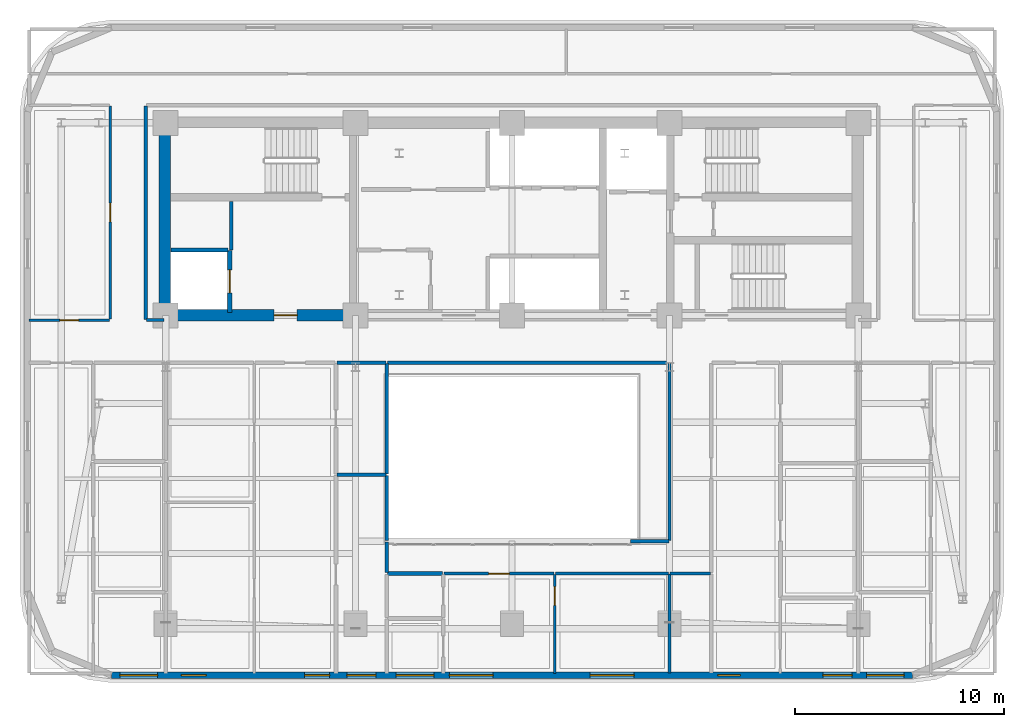
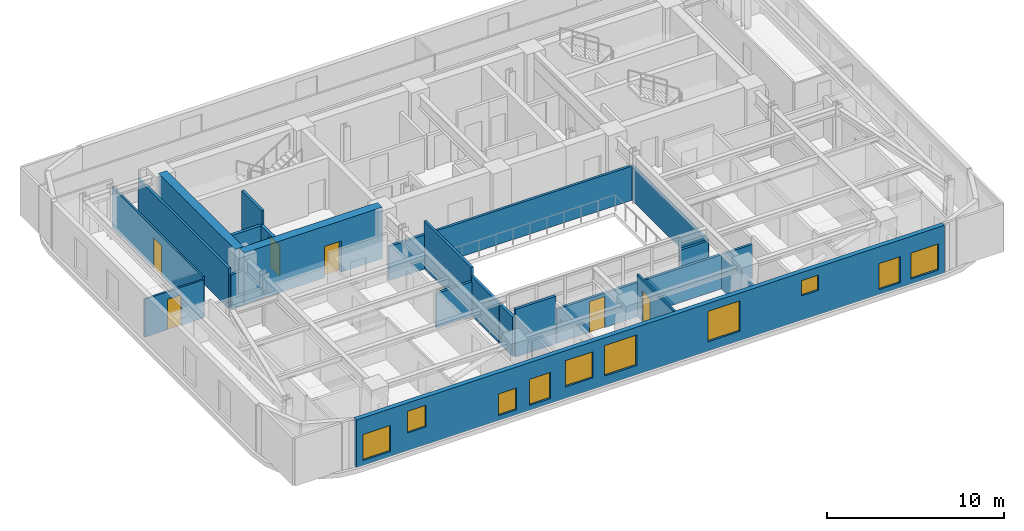
# One storey, part 6 of 12: 24 walls, 10 windows, 6 doors, 16 openings.
"""IFC4 building model written with IfcOpenShell, lengths in metres."""

from ifc_helpers import new_model, si_unit, direction, frame, frame_2d, origin, place, context, subcontext, project, spatial, rectangle, extrude, material, layer, layer_set, type_object, element, fill, save


model = new_model("IFC4")

# Units and contexts
model_context = context("Model", 3, precision=1e-05, world=origin(), true_north=direction((0.0, 1.0)))
body_context = subcontext(model_context, "Body", "Model", "MODEL_VIEW")
ifc_project = project(units=[si_unit("LENGTHUNIT", "METRE"), si_unit("AREAUNIT", "SQUARE_METRE"), si_unit("VOLUMEUNIT", "CUBIC_METRE"), si_unit("PLANEANGLEUNIT", "RADIAN"), si_unit("MASSUNIT", "GRAM", prefix="KILO")], contexts=[model_context])

# Site, building, storey
site_placement = place(None, origin())
site = spatial("IfcSite", under=ifc_project, at=site_placement, CompositionType="ELEMENT")
building_placement = place(site_placement, origin())
building = spatial("IfcBuilding", under=site, at=building_placement, Name="Zarnavel Station Tower", CompositionType="ELEMENT")
storey_placement = place(building_placement, frame((0.0, 0.0, 144.800048828125)))
storey = spatial("IfcBuildingStorey", under=building, at=storey_placement, Name="L39", CompositionType="ELEMENT", Elevation=144.800048828125)

# Wall, opening, door
ifc_material_1 = material(Name="Concrete C50/60", Category="concrete")
ifc_layer_1 = layer(ifc_material_1, 0.550048828125)
ifc_layer_set_1 = layer_set([ifc_layer_1], Name="CW_550")
wall_type_1 = type_object("IfcWallType", Name="CW_550", PredefinedType="SHEAR", material=ifc_layer_set_1)
wall_1_placement = place(storey_placement, frame((21.179931640625, 27.820068359375, 0.0), z_axis=(0.0, 0.0, 1.0), x_axis=(-1.0, 0.0, 0.0)))
wall_1 = element("IfcWall", 1, at=wall_1_placement, inside=storey, type_object=wall_type_1, Name="L39 Rear Core Shear Wall S-W", PredefinedType="SHEAR", context=body_context, shape_type="SweptSolid", body=[
    extrude(rectangle(XDim=9.030029296875, YDim=0.550048828125, at=frame_2d((4.51513671875, 0.0))), origin(), (0.0, 0.0, 1.0), 3.550048828125),
])
opening_1_placement = place(wall_1_placement, frame((2.679931640625, 0.0, 0.0)))
opening_1 = element("IfcOpeningElement", 2, at=opening_1_placement, cuts=wall_1, Name="Opening FD01", PredefinedType="OPENING", context=body_context, shape_type="SweptSolid", body=[
    extrude(rectangle(XDim=1.10009765625, YDim=2.14990234375, at=frame_2d((0.550048828125, 1.074951171875))), frame((0.0, 0.284912109375, 0.0), z_axis=(0.0, -1.0, 0.0), x_axis=(1.0, 0.0, 0.0)), (0.0, 0.0, 1.0), 0.570068359375),
])
ifc_material_2 = material(Name="Painted Galvanised Steel and Hardwood Leaf", Category="steel")
door_type_1 = type_object("IfcDoorType", Name="ID_STAIR_1100", OperationType="NOTDEFINED", PredefinedType="DOOR", material=ifc_material_2)
door_1_placement = place(opening_1_placement, origin())
door_1 = element("IfcDoor", 3, at=door_1_placement, inside=storey, type_object=door_type_1, Name="L39 West Firefighting Lobby Door", OperationType="SINGLE_SWING_RIGHT", OverallHeight=2.14990234375, OverallWidth=1.10009765625, PredefinedType="DOOR", context=body_context, shape_type="SweptSolid", body=[
    extrude(rectangle(XDim=1.10009765625, YDim=2.14990234375, at=frame_2d((0.550048828125, 1.074951171875))), frame((0.0, 0.02490234375, 0.0), z_axis=(0.0, -1.0, 0.0), x_axis=(1.0, 0.0, 0.0)), (0.0, 0.0, 1.0), 0.050048828125),
])
fill(opening_1, door_1)

# Wall
wall_2_placement = place(storey_placement, frame((12.14990234375, 28.094970703125, 0.0), z_axis=(0.0, 0.0, 1.0), x_axis=(0.0, 1.0, 0.0)))
element("IfcWall", 4, at=wall_2_placement, inside=storey, type_object=wall_type_1, Name="L39 Rear Core Shear Wall W", PredefinedType="SHEAR", context=body_context, shape_type="SweptSolid", body=[
    extrude(rectangle(XDim=8.679931640625, YDim=0.550048828125, at=frame_2d((4.33984375, 0.0))), origin(), (0.0, 0.0, 1.0), 3.550048828125),
])

# Wall, openings, windows
ifc_material_3 = material(Name="Precast concrete C45/55 (Dark Basalt Finish)", Category="masonry")
ifc_layer_2 = layer(ifc_material_3, 0.300048828125)
ifc_layer_set_2 = layer_set([ifc_layer_2], Name="EW_BASALT_300")
wall_type_2 = type_object("IfcWallType", Name="EW_BASALT_300", PredefinedType="SOLIDWALL", material=ifc_layer_set_2)
wall_3_placement = place(storey_placement, frame((48.0, 10.580078125, 0.0), z_axis=(0.0, 0.0, 1.0), x_axis=(-1.0, 0.0, 0.0)))
wall_3 = element("IfcWall", 5, at=wall_3_placement, inside=storey, type_object=wall_type_2, Name="L39 Exterior Basalt Masonry Frame Wall 12", PredefinedType="SOLIDWALL", context=body_context, shape_type="SweptSolid", body=[
    extrude(rectangle(XDim=38.39990234375, YDim=0.300048828125, at=frame_2d((19.199951171875, 0.0))), origin(), (0.0, 0.0, 1.0), 3.2900390625),
])
opening_2_placement = place(wall_3_placement, frame((36.18994140625, 0.0, 0.340087890625)))
opening_2 = element("IfcOpeningElement", 6, at=opening_2_placement, cuts=wall_3, Name="Opening WN02", PredefinedType="OPENING", context=body_context, shape_type="SweptSolid", body=[
    extrude(rectangle(XDim=1.800048828125, YDim=1.800048828125, at=frame_2d((0.89990234375, 0.89990234375))), frame((0.0, 0.159912109375, 0.0), z_axis=(0.0, -1.0, 0.0), x_axis=(1.0, 0.0, 0.0)), (0.0, 0.0, 1.0), 0.320068359375),
])
opening_3_placement = place(wall_3_placement, frame((27.93798828125, 0.0, 0.340087890625)))
opening_3 = element("IfcOpeningElement", 7, at=opening_3_placement, cuts=wall_3, Name="Opening WN08", PredefinedType="OPENING", context=body_context, shape_type="SweptSolid", body=[
    extrude(rectangle(XDim=1.199951171875, YDim=1.5, at=frame_2d((0.60009765625, 0.75))), frame((0.0, 0.159912109375, 0.0), z_axis=(0.0, -1.0, 0.0), x_axis=(1.0, 0.0, 0.0)), (0.0, 0.0, 1.0), 0.320068359375),
])
opening_4_placement = place(wall_3_placement, frame((25.718994140625, 0.0, 0.340087890625)))
opening_4 = element("IfcOpeningElement", 8, at=opening_4_placement, cuts=wall_3, Name="Opening WN01", PredefinedType="OPENING", context=body_context, shape_type="SweptSolid", body=[
    extrude(rectangle(XDim=1.39990234375, YDim=1.800048828125, at=frame_2d((0.699951171875, 0.89990234375))), frame((0.0, 0.159912109375, 0.0), z_axis=(0.0, -1.0, 0.0), x_axis=(1.0, 0.0, 0.0)), (0.0, 0.0, 1.0), 0.320068359375),
])
opening_5_placement = place(wall_3_placement, frame((33.86083984375, 0.0, 1.219970703125)))
opening_5 = element("IfcOpeningElement", 9, at=opening_5_placement, cuts=wall_3, Name="Opening WN08", PredefinedType="OPENING", context=body_context, shape_type="SweptSolid", body=[
    extrude(rectangle(XDim=1.199951171875, YDim=1.5, at=frame_2d((0.60009765625, 0.75))), frame((0.0, 0.159912109375, 0.0), z_axis=(0.0, -1.0, 0.0), x_axis=(1.0, 0.0, 0.0)), (0.0, 0.0, 1.0), 0.320068359375),
])
opening_6_placement = place(wall_3_placement, frame((20.10009765625, 0.0, 0.64990234375)))
opening_6 = element("IfcOpeningElement", 10, at=opening_6_placement, cuts=wall_3, Name="Opening WN05", PredefinedType="OPENING", context=body_context, shape_type="SweptSolid", body=[
    extrude(rectangle(XDim=2.10009765625, YDim=2.10009765625, at=frame_2d((1.050048828125, 1.050048828125))), frame((0.0, 0.159912109375, 0.0), z_axis=(0.0, -1.0, 0.0), x_axis=(1.0, 0.0, 0.0)), (0.0, 0.0, 1.0), 0.320068359375),
])
opening_7_placement = place(wall_3_placement, frame((22.949951171875, 0.0, 0.800048828125)))
opening_7 = element("IfcOpeningElement", 11, at=opening_7_placement, cuts=wall_3, Name="Opening WN02", PredefinedType="OPENING", context=body_context, shape_type="SweptSolid", body=[
    extrude(rectangle(XDim=1.800048828125, YDim=1.800048828125, at=frame_2d((0.89990234375, 0.89990234375))), frame((0.0, 0.159912109375, 0.0), z_axis=(0.0, -1.0, 0.0), x_axis=(1.0, 0.0, 0.0)), (0.0, 0.0, 1.0), 0.320068359375),
])
opening_8_placement = place(wall_3_placement, frame((13.35009765625, 0.0, 0.64990234375)))
opening_8 = element("IfcOpeningElement", 12, at=opening_8_placement, cuts=wall_3, Name="Opening WN05", PredefinedType="OPENING", context=body_context, shape_type="SweptSolid", body=[
    extrude(rectangle(XDim=2.10009765625, YDim=2.10009765625, at=frame_2d((1.050048828125, 1.050048828125))), frame((0.0, 0.159912109375, 0.0), z_axis=(0.0, -1.0, 0.0), x_axis=(1.0, 0.0, 0.0)), (0.0, 0.0, 1.0), 0.320068359375),
])
opening_9_placement = place(wall_3_placement, frame((8.25, 0.0, 1.679931640625)))
opening_9 = element("IfcOpeningElement", 13, at=opening_9_placement, cuts=wall_3, Name="Opening WN09", PredefinedType="OPENING", context=body_context, shape_type="SweptSolid", body=[
    extrude(rectangle(XDim=1.10009765625, YDim=1.050048828125, at=frame_2d((0.550048828125, 0.52490234375))), frame((0.0, 0.159912109375, 0.0), z_axis=(0.0, -1.0, 0.0), x_axis=(1.0, 0.0, 0.0)), (0.0, 0.0, 1.0), 0.320068359375),
])
opening_10_placement = place(wall_3_placement, frame((2.89990234375, 0.0, 0.340087890625)))
opening_10 = element("IfcOpeningElement", 14, at=opening_10_placement, cuts=wall_3, Name="Opening WN01", PredefinedType="OPENING", context=body_context, shape_type="SweptSolid", body=[
    extrude(rectangle(XDim=1.39990234375, YDim=1.800048828125, at=frame_2d((0.699951171875, 0.89990234375))), frame((0.0, 0.159912109375, 0.0), z_axis=(0.0, -1.0, 0.0), x_axis=(1.0, 0.0, 0.0)), (0.0, 0.0, 1.0), 0.320068359375),
])
opening_11_placement = place(wall_3_placement, frame((0.409912109375, 0.0, 0.340087890625)))
opening_11 = element("IfcOpeningElement", 15, at=opening_11_placement, cuts=wall_3, Name="Opening WN02", PredefinedType="OPENING", context=body_context, shape_type="SweptSolid", body=[
    extrude(rectangle(XDim=1.800048828125, YDim=1.800048828125, at=frame_2d((0.89990234375, 0.89990234375))), frame((0.0, 0.159912109375, 0.0), z_axis=(0.0, -1.0, 0.0), x_axis=(1.0, 0.0, 0.0)), (0.0, 0.0, 1.0), 0.320068359375),
])
ifc_material_4 = material(Name="Thermally Broken Black Aluminium and Low-E Dark Glass", Category="aluminium")
window_type_1 = type_object("IfcWindowType", Name="WN_1100x1050", PartitioningType="SINGLE_PANEL", PredefinedType="WINDOW", material=ifc_material_4)
window_1_placement = place(opening_9_placement, origin())
window_1 = element("IfcWindow", 16, at=window_1_placement, inside=storey, type_object=window_type_1, Name="L39 Recessed Facade Window 08", OverallHeight=1.050048828125, OverallWidth=1.10009765625, PartitioningType="SINGLE_PANEL", PredefinedType="WINDOW", context=body_context, shape_type="SweptSolid", body=[
    extrude(rectangle(XDim=1.10009765625, YDim=1.050048828125, at=frame_2d((0.550048828125, 0.52490234375))), frame((0.0, 0.030029296875, 0.0), z_axis=(0.0, -1.0, 0.0), x_axis=(1.0, 0.0, 0.0)), (0.0, 0.0, 1.0), 0.06005859375),
])
fill(opening_9, window_1)
ifc_material_5 = material(Name="Thermally Broken Black Aluminium and Low-E Dark Glass", Category="aluminium")
window_type_2 = type_object("IfcWindowType", Name="WN_1200x1500", PartitioningType="SINGLE_PANEL", PredefinedType="WINDOW", material=ifc_material_5)
window_2_placement = place(opening_3_placement, origin())
window_2 = element("IfcWindow", 17, at=window_2_placement, inside=storey, type_object=window_type_2, Name="L39 Recessed Facade Window 02", OverallHeight=1.5, OverallWidth=1.199951171875, PartitioningType="SINGLE_PANEL", PredefinedType="WINDOW", context=body_context, shape_type="SweptSolid", body=[
    extrude(rectangle(XDim=1.199951171875, YDim=1.5, at=frame_2d((0.60009765625, 0.75))), frame((0.0, 0.030029296875, 0.0), z_axis=(0.0, -1.0, 0.0), x_axis=(1.0, 0.0, 0.0)), (0.0, 0.0, 1.0), 0.06005859375),
])
fill(opening_3, window_2)
window_3_placement = place(opening_5_placement, origin())
window_3 = element("IfcWindow", 18, at=window_3_placement, inside=storey, type_object=window_type_2, Name="L39 Recessed Facade Window 04", OverallHeight=1.5, OverallWidth=1.199951171875, PartitioningType="SINGLE_PANEL", PredefinedType="WINDOW", context=body_context, shape_type="SweptSolid", body=[
    extrude(rectangle(XDim=1.199951171875, YDim=1.5, at=frame_2d((0.60009765625, 0.75))), frame((0.0, 0.030029296875, 0.0), z_axis=(0.0, -1.0, 0.0), x_axis=(1.0, 0.0, 0.0)), (0.0, 0.0, 1.0), 0.06005859375),
])
fill(opening_5, window_3)
ifc_material_6 = material(Name="Thermally Broken Black Aluminium and Low-E Dark Glass", Category="aluminium")
window_type_3 = type_object("IfcWindowType", Name="WN_1400x1800", PartitioningType="DOUBLE_PANEL_VERTICAL", PredefinedType="WINDOW", material=ifc_material_6)
window_4_placement = place(opening_4_placement, origin())
window_4 = element("IfcWindow", 19, at=window_4_placement, inside=storey, type_object=window_type_3, Name="L39 Recessed Facade Window 03", OverallHeight=1.800048828125, OverallWidth=1.39990234375, PartitioningType="SINGLE_PANEL", PredefinedType="WINDOW", context=body_context, shape_type="SweptSolid", body=[
    extrude(rectangle(XDim=1.39990234375, YDim=1.800048828125, at=frame_2d((0.699951171875, 0.89990234375))), frame((0.0, 0.030029296875, 0.0), z_axis=(0.0, -1.0, 0.0), x_axis=(1.0, 0.0, 0.0)), (0.0, 0.0, 1.0), 0.06005859375),
])
fill(opening_4, window_4)
window_5_placement = place(opening_10_placement, origin())
window_5 = element("IfcWindow", 20, at=window_5_placement, inside=storey, type_object=window_type_3, Name="L39 Recessed Facade Window 09", OverallHeight=1.800048828125, OverallWidth=1.39990234375, PartitioningType="SINGLE_PANEL", PredefinedType="WINDOW", context=body_context, shape_type="SweptSolid", body=[
    extrude(rectangle(XDim=1.39990234375, YDim=1.800048828125, at=frame_2d((0.699951171875, 0.89990234375))), frame((0.0, 0.030029296875, 0.0), z_axis=(0.0, -1.0, 0.0), x_axis=(1.0, 0.0, 0.0)), (0.0, 0.0, 1.0), 0.06005859375),
])
fill(opening_10, window_5)
ifc_material_7 = material(Name="Thermally Broken Black Aluminium and Low-E Dark Glass", Category="aluminium")
window_type_4 = type_object("IfcWindowType", Name="WN_1800x1800", PartitioningType="DOUBLE_PANEL_VERTICAL", PredefinedType="WINDOW", material=ifc_material_7)
window_6_placement = place(opening_2_placement, origin())
window_6 = element("IfcWindow", 21, at=window_6_placement, inside=storey, type_object=window_type_4, Name="L39 Recessed Facade Window 01", OverallHeight=1.800048828125, OverallWidth=1.800048828125, PartitioningType="SINGLE_PANEL", PredefinedType="WINDOW", context=body_context, shape_type="SweptSolid", body=[
    extrude(rectangle(XDim=1.800048828125, YDim=1.800048828125, at=frame_2d((0.89990234375, 0.89990234375))), frame((0.0, 0.030029296875, 0.0), z_axis=(0.0, -1.0, 0.0), x_axis=(1.0, 0.0, 0.0)), (0.0, 0.0, 1.0), 0.06005859375),
])
fill(opening_2, window_6)
window_7_placement = place(opening_7_placement, origin())
window_7 = element("IfcWindow", 22, at=window_7_placement, inside=storey, type_object=window_type_4, Name="L39 Recessed Facade Window 06", OverallHeight=1.800048828125, OverallWidth=1.800048828125, PartitioningType="SINGLE_PANEL", PredefinedType="WINDOW", context=body_context, shape_type="SweptSolid", body=[
    extrude(rectangle(XDim=1.800048828125, YDim=1.800048828125, at=frame_2d((0.89990234375, 0.89990234375))), frame((0.0, 0.030029296875, 0.0), z_axis=(0.0, -1.0, 0.0), x_axis=(1.0, 0.0, 0.0)), (0.0, 0.0, 1.0), 0.06005859375),
])
fill(opening_7, window_7)
window_8_placement = place(opening_11_placement, origin())
window_8 = element("IfcWindow", 23, at=window_8_placement, inside=storey, type_object=window_type_4, Name="L39 Recessed Facade Window 10", OverallHeight=1.800048828125, OverallWidth=1.800048828125, PartitioningType="SINGLE_PANEL", PredefinedType="WINDOW", context=body_context, shape_type="SweptSolid", body=[
    extrude(rectangle(XDim=1.800048828125, YDim=1.800048828125, at=frame_2d((0.89990234375, 0.89990234375))), frame((0.0, 0.030029296875, 0.0), z_axis=(0.0, -1.0, 0.0), x_axis=(1.0, 0.0, 0.0)), (0.0, 0.0, 1.0), 0.06005859375),
])
fill(opening_11, window_8)
ifc_material_8 = material(Name="Thermally Broken Black Aluminium and Low-E Dark Glass", Category="aluminium")
window_type_5 = type_object("IfcWindowType", Name="WN_2100x2100", PartitioningType="TRIPLE_PANEL_VERTICAL", PredefinedType="WINDOW", material=ifc_material_8)
window_9_placement = place(opening_6_placement, origin())
window_9 = element("IfcWindow", 24, at=window_9_placement, inside=storey, type_object=window_type_5, Name="L39 Recessed Facade Window 05", OverallHeight=2.10009765625, OverallWidth=2.10009765625, PartitioningType="SINGLE_PANEL", PredefinedType="WINDOW", context=body_context, shape_type="SweptSolid", body=[
    extrude(rectangle(XDim=2.10009765625, YDim=2.10009765625, at=frame_2d((1.050048828125, 1.050048828125))), frame((0.0, 0.030029296875, 0.0), z_axis=(0.0, -1.0, 0.0), x_axis=(1.0, 0.0, 0.0)), (0.0, 0.0, 1.0), 0.06005859375),
])
fill(opening_6, window_9)
window_10_placement = place(opening_8_placement, origin())
window_10 = element("IfcWindow", 25, at=window_10_placement, inside=storey, type_object=window_type_5, Name="L39 Recessed Facade Window 07", OverallHeight=2.10009765625, OverallWidth=2.10009765625, PartitioningType="SINGLE_PANEL", PredefinedType="WINDOW", context=body_context, shape_type="SweptSolid", body=[
    extrude(rectangle(XDim=2.10009765625, YDim=2.10009765625, at=frame_2d((1.050048828125, 1.050048828125))), frame((0.0, 0.030029296875, 0.0), z_axis=(0.0, -1.0, 0.0), x_axis=(1.0, 0.0, 0.0)), (0.0, 0.0, 1.0), 0.06005859375),
])
fill(opening_8, window_10)

# Wall, opening, door
ifc_material_9 = material(Name="Gypsum Twin-Stud Acoustic Fire Partition", Category="concrete")
ifc_layer_3 = layer(ifc_material_9, 0.159912109375)
ifc_layer_set_3 = layer_set([ifc_layer_3], Name="PT_DEMISE_160")
wall_type_3 = type_object("IfcWallType", Name="PT_DEMISE_160", PredefinedType="PARTITIONING", material=ifc_layer_set_3)
wall_4_placement = place(storey_placement, frame((25.5400390625, 15.449951171875, 0.0), z_axis=(0.0, 0.0, 1.0), x_axis=(1.0, 0.0, 0.0)))
wall_4 = element("IfcWall", 26, at=wall_4_placement, inside=storey, type_object=wall_type_3, Name="L39 Partition COR-AS-US1LV", PredefinedType="PARTITIONING", context=body_context, shape_type="SweptSolid", body=[
    extrude(rectangle(XDim=5.27001953125, YDim=0.159912109375, at=frame_2d((2.635009765625, 0.0))), origin(), (0.0, 0.0, 1.0), 2.35986328125),
])
opening_12_placement = place(wall_4_placement, frame((2.135009765625, 0.0, 0.0)))
opening_12 = element("IfcOpeningElement", 27, at=opening_12_placement, cuts=wall_4, Name="Opening FD02", PredefinedType="OPENING", context=body_context, shape_type="SweptSolid", body=[
    extrude(rectangle(XDim=1.0, YDim=2.14990234375, at=frame_2d((0.5, 1.074951171875))), frame((0.0, 0.08984375, 0.0), z_axis=(0.0, -1.0, 0.0), x_axis=(1.0, 0.0, 0.0)), (0.0, 0.0, 1.0), 0.179931640625),
])
ifc_material_10 = material(Name="Painted Galvanised Steel and Hardwood Leaf", Category="steel")
door_type_2 = type_object("IfcDoorType", Name="ID_ENTRY_1000", OperationType="NOTDEFINED", PredefinedType="DOOR", material=ifc_material_10)
door_2_placement = place(opening_12_placement, origin())
door_2 = element("IfcDoor", 28, at=door_2_placement, inside=storey, type_object=door_type_2, Name="L39 Door COR-AS-US1LV", OperationType="SINGLE_SWING_RIGHT", OverallHeight=2.14990234375, OverallWidth=1.0, PredefinedType="DOOR", context=body_context, shape_type="SweptSolid", body=[
    extrude(rectangle(XDim=1.0, YDim=2.14990234375, at=frame_2d((0.5, 1.074951171875))), frame((0.0, 0.02490234375, 0.0), z_axis=(0.0, -1.0, 0.0), x_axis=(1.0, 0.0, 0.0)), (0.0, 0.0, 1.0), 0.050048828125),
])
fill(opening_12, door_2)

# Walls
wall_5_placement = place(storey_placement, frame((30.889892578125, 15.449951171875, 0.0), z_axis=(0.0, 0.0, 1.0), x_axis=(1.0, 0.0, 0.0)))
element("IfcWall", 29, at=wall_5_placement, inside=storey, type_object=wall_type_3, Name="L39 Partition COR-AS-US1B1", PredefinedType="PARTITIONING", context=body_context, shape_type="SweptSolid", body=[
    extrude(rectangle(XDim=5.420166015625, YDim=0.159912109375, at=frame_2d((2.7099609375, 0.0))), origin(), (0.0, 0.0, 1.0), 2.35986328125),
])
wall_6_placement = place(storey_placement, frame((15.35009765625, 30.9599609375, 0.0), z_axis=(0.0, 0.0, 1.0), x_axis=(0.0, 1.0, 0.0)))
element("IfcWall", 30, at=wall_6_placement, inside=storey, type_object=wall_type_3, Name="L39 Enclosure Wall FFL1", PredefinedType="PARTITIONING", context=body_context, shape_type="SweptSolid", body=[
    extrude(rectangle(XDim=2.31005859375, YDim=0.159912109375, at=frame_2d((1.155029296875, 0.0))), origin(), (0.0, 0.0, 1.0), 3.2900390625),
])
wall_7_placement = place(storey_placement, frame((22.830078125, 25.550048828125, 0.0), z_axis=(0.0, 0.0, 1.0), x_axis=(1.0, 0.0, 0.0)))
element("IfcWall", 31, at=wall_7_placement, inside=storey, type_object=wall_type_3, Name="L39 Enclosure Wall COR-S", PredefinedType="PARTITIONING", context=body_context, shape_type="SweptSolid", body=[
    extrude(rectangle(XDim=13.489990234375, YDim=0.159912109375, at=frame_2d((6.7451171875, 0.0))), origin(), (0.0, 0.0, 1.0), 2.35986328125),
])
wall_8_placement = place(storey_placement, frame((11.280029296875, 27.60009765625, 0.0), z_axis=(0.0, 0.0, 1.0), x_axis=(1.0, 0.0, 0.0)))
element("IfcWall", 32, at=wall_8_placement, inside=storey, type_object=wall_type_3, Name="L39 Enclosure Wall COR-S", PredefinedType="PARTITIONING", context=body_context, shape_type="SweptSolid", body=[
    extrude(rectangle(XDim=0.840087890625, YDim=0.159912109375, at=frame_2d((0.419921875, 0.0))), origin(), (0.0, 0.0, 1.0), 2.35986328125),
])
wall_9_placement = place(storey_placement, frame((11.25, 27.6298828125, 0.0), z_axis=(0.0, 0.0, 1.0), x_axis=(0.0, 1.0, 0.0)))
element("IfcWall", 33, at=wall_9_placement, inside=storey, type_object=wall_type_3, Name="L39 Enclosure Wall COR-W", PredefinedType="PARTITIONING", context=body_context, shape_type="SweptSolid", body=[
    extrude(rectangle(XDim=10.240234375, YDim=0.159912109375, at=frame_2d((5.1201171875, 0.0))), origin(), (0.0, 0.0, 1.0), 2.77001953125),
])
wall_10_placement = place(storey_placement, frame((36.3798828125, 15.449951171875, 0.0), z_axis=(0.0, 0.0, 1.0), x_axis=(1.0, 0.0, 0.0)))
element("IfcWall", 34, at=wall_10_placement, inside=storey, type_object=wall_type_3, Name="L39 Enclosure Wall COR-AE", PredefinedType="PARTITIONING", context=body_context, shape_type="SweptSolid", body=[
    extrude(rectangle(XDim=1.940185546875, YDim=0.159912109375, at=frame_2d((0.97021484375, 0.0))), origin(), (0.0, 0.0, 1.0), 2.35986328125),
])
wall_11_placement = place(storey_placement, frame((36.35009765625, 17.030029296875, 0.0), z_axis=(0.0, 0.0, 1.0), x_axis=(0.0, 1.0, 0.0)))
element("IfcWall", 35, at=wall_11_placement, inside=storey, type_object=wall_type_3, Name="L39 Enclosure Wall COR-AE", PredefinedType="PARTITIONING", context=body_context, shape_type="SweptSolid", body=[
    extrude(rectangle(XDim=8.489990234375, YDim=0.159912109375, at=frame_2d((4.2451171875, 0.0))), origin(), (0.0, 0.0, 1.0), 2.35986328125),
])
wall_12_placement = place(storey_placement, frame((34.47998046875, 17.0, 0.0), z_axis=(0.0, 0.0, 1.0), x_axis=(1.0, 0.0, 0.0)))
element("IfcWall", 36, at=wall_12_placement, inside=storey, type_object=wall_type_3, Name="L39 Enclosure Wall COR-AS", PredefinedType="PARTITIONING", context=body_context, shape_type="SweptSolid", body=[
    extrude(rectangle(XDim=1.840087890625, YDim=0.159912109375, at=frame_2d((0.919921875, 0.0))), origin(), (0.0, 0.0, 1.0), 2.35986328125),
])
wall_13_placement = place(storey_placement, frame((22.800048828125, 17.030029296875, 0.0), z_axis=(0.0, 0.0, 1.0), x_axis=(0.0, 1.0, 0.0)))
element("IfcWall", 37, at=wall_13_placement, inside=storey, type_object=wall_type_3, Name="L39 Enclosure Wall UW2KT", PredefinedType="PARTITIONING", context=body_context, shape_type="SweptSolid", body=[
    extrude(rectangle(XDim=3.1298828125, YDim=0.159912109375, at=frame_2d((1.56494140625, 0.0))), origin(), (0.0, 0.0, 1.0), 2.72998046875),
])
wall_14_placement = place(storey_placement, frame((22.800048828125, 20.219970703125, 0.0), z_axis=(0.0, 0.0, 1.0), x_axis=(0.0, 1.0, 0.0)))
element("IfcWall", 38, at=wall_14_placement, inside=storey, type_object=wall_type_3, Name="L39 Enclosure Wall UW2BA", PredefinedType="PARTITIONING", context=body_context, shape_type="SweptSolid", body=[
    extrude(rectangle(XDim=5.300048828125, YDim=0.159912109375, at=frame_2d((2.64990234375, 0.0))), origin(), (0.0, 0.0, 1.0), 3.2900390625),
])
wall_15_placement = place(storey_placement, frame((36.35009765625, 10.68994140625, 0.0), z_axis=(0.0, 0.0, 1.0), x_axis=(0.0, 1.0, 0.0)))
element("IfcWall", 39, at=wall_15_placement, inside=storey, type_object=wall_type_3, Name="L39 Enclosure Wall US1B1", PredefinedType="PARTITIONING", context=body_context, shape_type="SweptSolid", body=[
    extrude(rectangle(XDim=4.72998046875, YDim=0.159912109375, at=frame_2d((2.364990234375, 0.0))), origin(), (0.0, 0.0, 1.0), 2.35986328125),
])

# Wall, opening, door
ifc_material_11 = material(Name="Gypsum Metal-Stud Interior Partition", Category="concrete")
ifc_layer_4 = layer(ifc_material_11, 0.1201171875)
ifc_layer_set_4 = layer_set([ifc_layer_4], Name="PT_ROOM_120")
wall_type_4 = type_object("IfcWallType", Name="PT_ROOM_120", PredefinedType="PARTITIONING", material=ifc_layer_set_4)
wall_16_placement = place(storey_placement, frame((5.659912109375, 27.60009765625, 0.0), z_axis=(0.0, 0.0, 1.0), x_axis=(1.0, 0.0, 0.0)))
wall_16 = element("IfcWall", 40, at=wall_16_placement, inside=storey, type_object=wall_type_4, Name="L39 Partition COR-S-FNW", PredefinedType="PARTITIONING", context=body_context, shape_type="SweptSolid", body=[
    extrude(rectangle(XDim=3.85009765625, YDim=0.1201171875, at=frame_2d((1.925048828125, 0.0))), origin(), (0.0, 0.0, 1.0), 2.619873046875),
])
opening_13_placement = place(wall_16_placement, frame((1.47509765625, 0.0, 0.0)))
opening_13 = element("IfcOpeningElement", 41, at=opening_13_placement, cuts=wall_16, Name="Opening ID01", PredefinedType="OPENING", context=body_context, shape_type="SweptSolid", body=[
    extrude(rectangle(XDim=0.89990234375, YDim=2.10009765625, at=frame_2d((0.449951171875, 1.050048828125))), frame((0.0, 0.070068359375, 0.0), z_axis=(0.0, -1.0, 0.0), x_axis=(1.0, 0.0, 0.0)), (0.0, 0.0, 1.0), 0.14013671875),
])
ifc_material_12 = material(Name="Painted Galvanised Steel and Hardwood Leaf", Category="steel")
door_type_3 = type_object("IfcDoorType", Name="ID_ROOM_900", OperationType="NOTDEFINED", PredefinedType="DOOR", material=ifc_material_12)
door_3_placement = place(opening_13_placement, origin())
door_3 = element("IfcDoor", 42, at=door_3_placement, inside=storey, type_object=door_type_3, Name="L39 Door COR-S-FNW", OperationType="SINGLE_SWING_LEFT", OverallHeight=2.10009765625, OverallWidth=0.89990234375, PredefinedType="DOOR", context=body_context, shape_type="SweptSolid", body=[
    extrude(rectangle(XDim=0.89990234375, YDim=2.10009765625, at=frame_2d((0.449951171875, 1.050048828125))), frame((0.0, 0.02490234375, 0.0), z_axis=(0.0, -1.0, 0.0), x_axis=(1.0, 0.0, 0.0)), (0.0, 0.0, 1.0), 0.050048828125),
])
fill(opening_13, door_3)

wall_17_placement = place(storey_placement, frame((9.550048828125, 27.639892578125, 0.0), z_axis=(0.0, 0.0, 1.0), x_axis=(0.0, 1.0, 0.0)))
wall_17 = element("IfcWall", 43, at=wall_17_placement, inside=storey, type_object=wall_type_4, Name="L39 Partition COR-W-FNW", PredefinedType="PARTITIONING", context=body_context, shape_type="SweptSolid", body=[
    extrude(rectangle(XDim=10.22021484375, YDim=0.1201171875, at=frame_2d((5.110107421875, 0.0))), origin(), (0.0, 0.0, 1.0), 2.77001953125),
])
opening_14_placement = place(wall_17_placement, frame((4.659912109375, 0.0, 0.0)))
opening_14 = element("IfcOpeningElement", 44, at=opening_14_placement, cuts=wall_17, Name="Opening ID01", PredefinedType="OPENING", context=body_context, shape_type="SweptSolid", body=[
    extrude(rectangle(XDim=0.89990234375, YDim=2.10009765625, at=frame_2d((0.449951171875, 1.050048828125))), frame((0.0, 0.070068359375, 0.0), z_axis=(0.0, -1.0, 0.0), x_axis=(1.0, 0.0, 0.0)), (0.0, 0.0, 1.0), 0.14013671875),
])
door_4_placement = place(opening_14_placement, origin())
door_4 = element("IfcDoor", 45, at=door_4_placement, inside=storey, type_object=door_type_3, Name="L39 Door COR-W-FNW", OperationType="SINGLE_SWING_LEFT", OverallHeight=2.10009765625, OverallWidth=0.89990234375, PredefinedType="DOOR", context=body_context, shape_type="SweptSolid", body=[
    extrude(rectangle(XDim=0.89990234375, YDim=2.10009765625, at=frame_2d((0.449951171875, 1.050048828125))), frame((0.0, 0.02490234375, 0.0), z_axis=(0.0, -1.0, 0.0), x_axis=(1.0, 0.0, 0.0)), (0.0, 0.0, 1.0), 0.050048828125),
])
fill(opening_14, door_4)

wall_18_placement = place(storey_placement, frame((30.85009765625, 10.659912109375, 0.0), z_axis=(0.0, 0.0, 1.0), x_axis=(0.0, 1.0, 0.0)))
wall_18 = element("IfcWall", 46, at=wall_18_placement, inside=storey, type_object=wall_type_4, Name="L39 Partition US1LV-US1B1", PredefinedType="PARTITIONING", context=body_context, shape_type="SweptSolid", body=[
    extrude(rectangle(XDim=4.75, YDim=0.1201171875, at=frame_2d((2.375, 0.0))), origin(), (0.0, 0.0, 1.0), 2.909912109375),
])
opening_15_placement = place(wall_18_placement, frame((3.263916015625, 0.0, 0.0)))
opening_15 = element("IfcOpeningElement", 47, at=opening_15_placement, cuts=wall_18, Name="Opening ID01", PredefinedType="OPENING", context=body_context, shape_type="SweptSolid", body=[
    extrude(rectangle(XDim=0.89990234375, YDim=2.10009765625, at=frame_2d((0.449951171875, 1.050048828125))), frame((0.0, 0.070068359375, 0.0), z_axis=(0.0, -1.0, 0.0), x_axis=(1.0, 0.0, 0.0)), (0.0, 0.0, 1.0), 0.14013671875),
])
door_5_placement = place(opening_15_placement, origin())
door_5 = element("IfcDoor", 48, at=door_5_placement, inside=storey, type_object=door_type_3, Name="L39 Door US1LV-US1B1", OperationType="SINGLE_SWING_RIGHT", OverallHeight=2.10009765625, OverallWidth=0.89990234375, PredefinedType="DOOR", context=body_context, shape_type="SweptSolid", body=[
    extrude(rectangle(XDim=0.89990234375, YDim=2.10009765625, at=frame_2d((0.449951171875, 1.050048828125))), frame((0.0, 0.02490234375, 0.0), z_axis=(0.0, -1.0, 0.0), x_axis=(1.0, 0.0, 0.0)), (0.0, 0.0, 1.0), 0.050048828125),
])
fill(opening_15, door_5)

ifc_material_13 = material(Name="Precast concrete C45/55 (Fire Shaft Blockwork)", Category="masonry")
ifc_layer_5 = layer(ifc_material_13, 0.199951171875)
ifc_layer_set_5 = layer_set([ifc_layer_5], Name="PT_SHAFT_200")
wall_type_5 = type_object("IfcWallType", Name="PT_SHAFT_200", PredefinedType="PARTITIONING", material=ifc_layer_set_5)
wall_19_placement = place(storey_placement, frame((15.27001953125, 27.969970703125, 0.0), z_axis=(0.0, 0.0, 1.0), x_axis=(0.0, 1.0, 0.0)))
wall_19 = element("IfcWall", 49, at=wall_19_placement, inside=storey, type_object=wall_type_5, Name="L39 Lift FFL-01 Shaft Front Wall", PredefinedType="PARTITIONING", context=body_context, shape_type="SweptSolid", body=[
    extrude(rectangle(XDim=2.9599609375, YDim=0.199951171875, at=frame_2d((1.47998046875, 0.0))), origin(), (0.0, 0.0, 1.0), 2.35986328125),
])
opening_16_placement = place(wall_19_placement, frame((0.929931640625, 0.0, 0.0)))
opening_16 = element("IfcOpeningElement", 50, at=opening_16_placement, cuts=wall_19, Name="Opening LD01", PredefinedType="OPENING", context=body_context, shape_type="SweptSolid", body=[
    extrude(rectangle(XDim=1.10009765625, YDim=2.14990234375, at=frame_2d((0.550048828125, 1.074951171875))), frame((0.0, 0.10986328125, 0.0), z_axis=(0.0, -1.0, 0.0), x_axis=(1.0, 0.0, 0.0)), (0.0, 0.0, 1.0), 0.219970703125),
])
ifc_material_14 = material(Name="Painted Galvanised Steel and Hardwood Leaf", Category="steel")
door_type_4 = type_object("IfcDoorType", Name="LD_FF_1100", OperationType="DOUBLE_DOOR_SLIDING", PredefinedType="DOOR", material=ifc_material_14)
door_6_placement = place(opening_16_placement, origin())
door_6 = element("IfcDoor", 51, at=door_6_placement, inside=storey, type_object=door_type_4, Name="L39 Lift FFL-01 Sliding Landing Door", OperationType="DOUBLE_DOOR_SLIDING", OverallHeight=2.14990234375, OverallWidth=1.10009765625, PredefinedType="DOOR", context=body_context, shape_type="SweptSolid", body=[
    extrude(rectangle(XDim=1.10009765625, YDim=2.14990234375, at=frame_2d((0.550048828125, 1.074951171875))), frame((0.0, 0.02490234375, 0.0), z_axis=(0.0, -1.0, 0.0), x_axis=(1.0, 0.0, 0.0)), (0.0, 0.0, 1.0), 0.050048828125),
])
fill(opening_16, door_6)

# Walls
wall_20_placement = place(storey_placement, frame((12.449951171875, 30.949951171875, 0.0), z_axis=(0.0, 0.0, 1.0), x_axis=(1.0, 0.0, 0.0)))
element("IfcWall", 52, at=wall_20_placement, inside=storey, type_object=wall_type_5, Name="L39 Lift FFL-01 North Shaft Wall", PredefinedType="PARTITIONING", context=body_context, shape_type="SweptSolid", body=[
    extrude(rectangle(XDim=2.75, YDim=0.199951171875, at=frame_2d((1.375, 0.0))), origin(), (0.0, 0.0, 1.0), 2.35986328125),
])
ifc_material_15 = material(Name="Moisture-Resistant Plumbing Chase Wall", Category="concrete")
ifc_layer_6 = layer(ifc_material_15, 0.179931640625)
ifc_layer_set_6 = layer_set([ifc_layer_6], Name="PW_PLUMB_180")
wall_type_6 = type_object("IfcWallType", Name="PW_PLUMB_180", PredefinedType="PLUMBINGWALL", material=ifc_layer_set_6)
wall_21_placement = place(storey_placement, frame((20.402099609375, 25.550048828125, 0.0), z_axis=(0.0, 0.0, 1.0), x_axis=(1.0, 0.0, 0.0)))
element("IfcWall", 53, at=wall_21_placement, inside=storey, type_object=wall_type_6, Name="L39 Partition COR-S-UW2BA", PredefinedType="PLUMBINGWALL", context=body_context, shape_type="SweptSolid", body=[
    extrude(rectangle(XDim=2.35791015625, YDim=0.179931640625, at=frame_2d((1.178955078125, 0.0))), origin(), (0.0, 0.0, 1.0), 2.35986328125),
])
wall_22_placement = place(storey_placement, frame((22.800048828125, 15.489990234375, 0.0), z_axis=(0.0, 0.0, 1.0), x_axis=(0.0, 1.0, 0.0)))
element("IfcWall", 54, at=wall_22_placement, inside=storey, type_object=wall_type_6, Name="L39 Partition COR-AS-UW2KT", PredefinedType="PLUMBINGWALL", context=body_context, shape_type="SweptSolid", body=[
    extrude(rectangle(XDim=1.469970703125, YDim=0.179931640625, at=frame_2d((0.73486328125, 0.0))), origin(), (0.0, 0.0, 1.0), 2.72998046875),
])
wall_23_placement = place(storey_placement, frame((22.840087890625, 15.449951171875, 0.0), z_axis=(0.0, 0.0, 1.0), x_axis=(1.0, 0.0, 0.0)))
element("IfcWall", 55, at=wall_23_placement, inside=storey, type_object=wall_type_6, Name="L39 Partition COR-AS-US1BA", PredefinedType="PLUMBINGWALL", context=body_context, shape_type="SweptSolid", body=[
    extrude(rectangle(XDim=2.619873046875, YDim=0.179931640625, at=frame_2d((1.31005859375, 0.0))), origin(), (0.0, 0.0, 1.0), 3.2900390625),
])
wall_24_placement = place(storey_placement, frame((20.402099609375, 20.18994140625, 0.0), z_axis=(0.0, 0.0, 1.0), x_axis=(1.0, 0.0, 0.0)))
element("IfcWall", 56, at=wall_24_placement, inside=storey, type_object=wall_type_6, Name="L39 Partition UW2KT-UW2BA", PredefinedType="PLUMBINGWALL", context=body_context, shape_type="SweptSolid", body=[
    extrude(rectangle(XDim=2.35791015625, YDim=0.179931640625, at=frame_2d((1.178955078125, 0.0))), origin(), (0.0, 0.0, 1.0), 2.35986328125),
])

save(model, "model.ifc")
